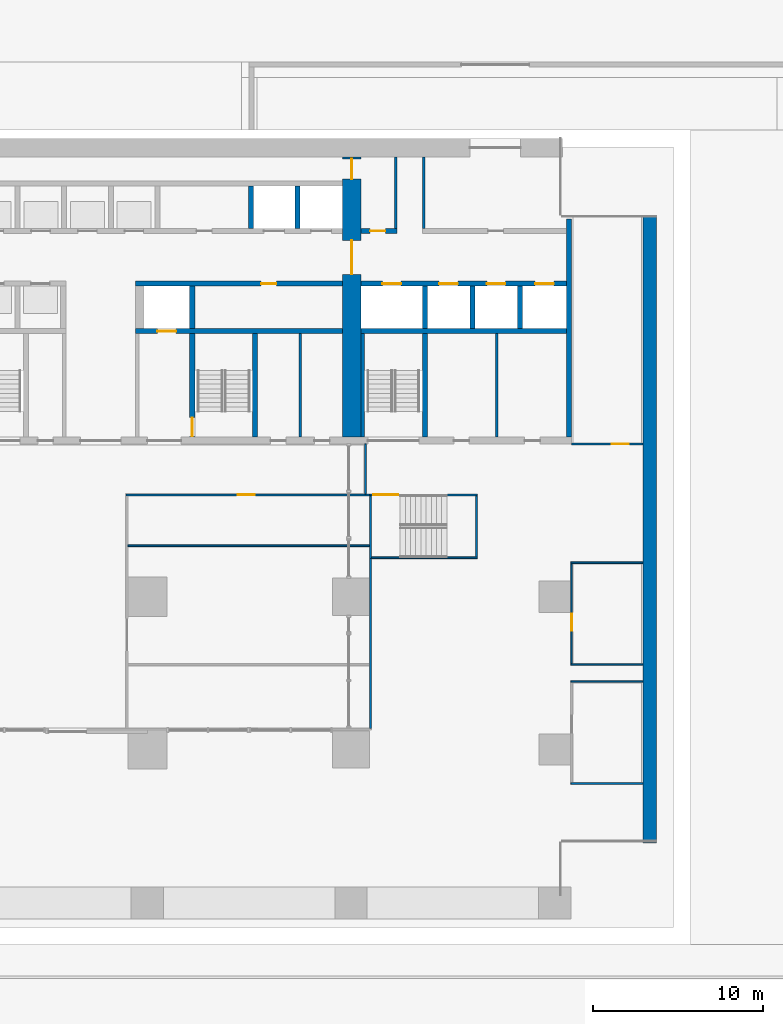
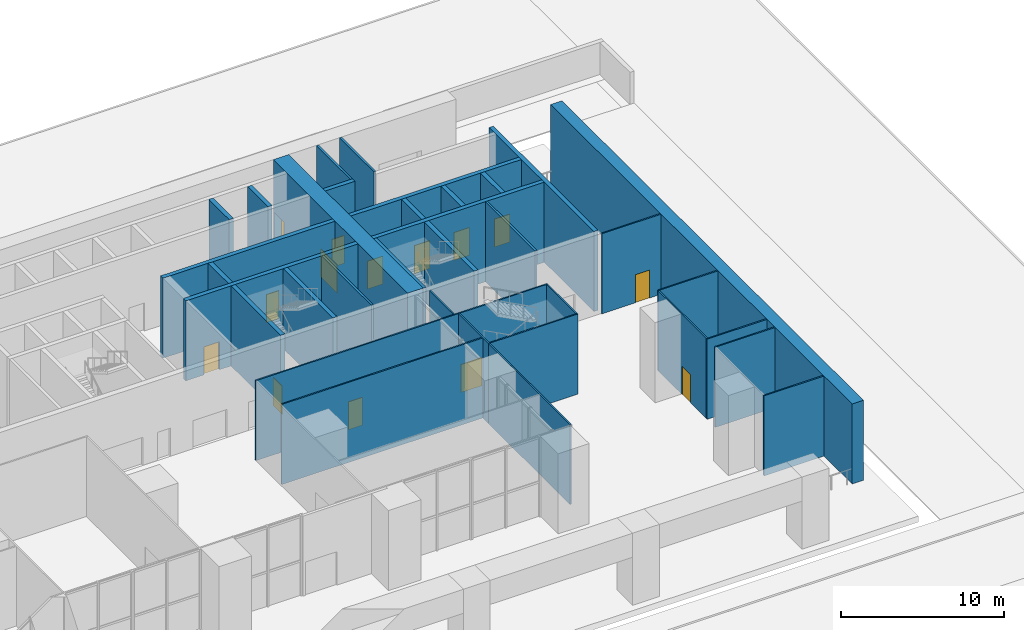
# One storey, part 9 of 16: 36 walls, 14 doors, 14 openings.
"""IFC4 building model written with IfcOpenShell, lengths in metres."""

import ifcopenshell
import ifcopenshell.guid

model = None  # the IFC model being written
_history = None  # IfcOwnerHistory: only IFC2X3 demands one
_inside = {}  # id of a spatial element -> (the spatial element, [elements in it])
_under = {}  # id of a project, library or spatial element -> (it, [spatial elements below it])
_declared = {}  # id of a project -> (the project, [libraries it declares])
_typed = {}  # id of a type object -> (the type object, [elements of that type])
_made_of = {}  # id of a material, layer set ... -> (it, [elements and type objects made of it])


def new_model(schema):
    """Start an empty IFC model of exactly this schema.

    Asked for "IFC4X3", IfcOpenShell would pick the latest addendum, in which some entities
    have other attributes; the version numbers below select the first issue.
    IFC2X3 requires an IfcOwnerHistory on every rooted entity: one is made here for all.
    """
    global model, _history
    if schema == "IFC4X3":
        model = ifcopenshell.file(schema_version=(4, 3, 0, 0))
    else:
        model = ifcopenshell.file(schema=schema)
    _inside.clear()
    _under.clear()
    _declared.clear()
    _typed.clear()
    _made_of.clear()
    _history = None
    if model.schema == "IFC2X3":
        org = make("IfcOrganization", Name="unknown")
        user = make(
            "IfcPersonAndOrganization",
            ThePerson=make("IfcPerson", FamilyName="unknown"),
            TheOrganization=org,
        )
        app = make(
            "IfcApplication",
            ApplicationDeveloper=org,
            Version="unknown",
            ApplicationFullName="unknown",
            ApplicationIdentifier="unknown",
        )
        _history = make(
            "IfcOwnerHistory",
            OwningUser=user,
            OwningApplication=app,
            ChangeAction="ADDED",
            CreationDate=0,
        )
    return model


def make(cls, **values):
    """One entity of the class cls with the attributes given. An attribute that is None is left unset."""
    return model.create_entity(
        cls, **{name: value for name, value in values.items() if value is not None}
    )


def rooted(cls, **values):
    """An entity with a GlobalId (a new one), such as an element, a storey or a relation."""
    return make(cls, GlobalId=ifcopenshell.guid.new(), OwnerHistory=_history, **values)


def si_unit(unit_type, name, prefix=None):
    """IfcSIUnit, for example si_unit("LENGTHUNIT", "METRE", prefix="MILLI")."""
    return make("IfcSIUnit", UnitType=unit_type, Prefix=prefix, Name=name)


def assignment(units):
    """IfcUnitAssignment: the units of a project."""
    return None if units is None else make("IfcUnitAssignment", Units=units)


def point(xyz):
    """IfcCartesianPoint."""
    return None if xyz is None else make("IfcCartesianPoint", Coordinates=xyz)


def direction(xyz):
    """IfcDirection."""
    return None if xyz is None else make("IfcDirection", DirectionRatios=xyz)


def frame(location, z_axis=None, x_axis=None):
    """IfcAxis2Placement3D, a coordinate frame: its origin and axes. An axis left out is left unset."""
    return make(
        "IfcAxis2Placement3D",
        Location=point(location),
        Axis=direction(z_axis),
        RefDirection=direction(x_axis),
    )


def frame_2d(location, x_axis=None):
    """IfcAxis2Placement2D, a coordinate frame in the plane: its origin and x axis."""
    return make(
        "IfcAxis2Placement2D", Location=point(location), RefDirection=direction(x_axis)
    )


def origin():
    """The frame at (0, 0, 0) with its axes left unset."""
    return frame((0.0, 0.0, 0.0))


def place(relative_to, where):
    """IfcLocalPlacement: puts the frame where relative to a parent placement (None: the world)."""
    return make(
        "IfcLocalPlacement", PlacementRelTo=relative_to, RelativePlacement=where
    )


def context(
    kind, dimensions, precision=None, world=None, true_north=None, identifier=None
):
    """IfcGeometricRepresentationContext, for example the 3D "Model" context."""
    return make(
        "IfcGeometricRepresentationContext",
        ContextIdentifier=identifier,
        ContextType=kind,
        CoordinateSpaceDimension=dimensions,
        Precision=precision,
        WorldCoordinateSystem=world,
        TrueNorth=true_north,
    )


def subcontext(parent, identifier, kind, view, scale=None):
    """IfcGeometricRepresentationSubContext, for example "Body" below "Model"."""
    return make(
        "IfcGeometricRepresentationSubContext",
        ContextIdentifier=identifier,
        ContextType=kind,
        ParentContext=parent,
        TargetScale=scale,
        TargetView=view,
    )


def project(units=None, contexts=None):
    """IfcProject with its units and contexts."""
    return rooted(
        "IfcProject",
        Name="project",
        RepresentationContexts=contexts,
        UnitsInContext=assignment(units),
    )


def spatial(cls, under=None, at=None, **own):
    """A site, building, storey or space (cls), placed at a placement, below another one or the project."""
    s = rooted(cls, ObjectPlacement=at, **own)
    if under is not None:
        _under.setdefault(under.id(), (under, []))[1].append(s)
    return s


def profile(cls, at=None, kind="AREA", **sizes):
    """A parametric profile (cls). Its sizes go by their IFC names, for example OverallWidth=200.0."""
    return make(cls, ProfileType=kind, Position=at, **sizes)


def rectangle(**sizes):
    """IfcRectangleProfileDef."""
    return profile("IfcRectangleProfileDef", **sizes)


def extrude(swept, where, along, depth):
    """IfcExtrudedAreaSolid: the profile swept, set in the frame where, extruded along a direction by depth."""
    return make(
        "IfcExtrudedAreaSolid",
        SweptArea=swept,
        Position=where,
        ExtrudedDirection=direction(along),
        Depth=depth,
    )


def shape(context_of_items, identifier, shape_type, items):
    """IfcShapeRepresentation: the items that make up one representation, for example the "Body"."""
    return make(
        "IfcShapeRepresentation",
        ContextOfItems=context_of_items,
        RepresentationIdentifier=identifier,
        RepresentationType=shape_type,
        Items=items,
    )


def material(Name=None, Category=None):
    """IfcMaterial."""
    return make("IfcMaterial", Name=Name, Category=Category)


def layer(
    of_material, thickness, ventilated=None, Name=None, Category=None, Priority=None
):
    """IfcMaterialLayer: one layer of a wall or slab, of a material (None: an air gap)."""
    return make(
        "IfcMaterialLayer",
        Material=of_material,
        LayerThickness=thickness,
        IsVentilated=ventilated,
        Name=Name,
        Category=Category,
        Priority=Priority,
    )


def layer_set(layers, Name=None):
    """IfcMaterialLayerSet."""
    return make("IfcMaterialLayerSet", MaterialLayers=layers, LayerSetName=Name)


def made_of(thing, what):
    """Note that an element or type object is made of a material, layer set ...; save() writes the relation."""
    if what is not None:
        _made_of.setdefault(what.id(), (what, []))[1].append(thing)
    return thing


def type_object(cls, material=None, **own):
    """A type object (cls), such as IfcWallType, which elements share."""
    return made_of(rooted(cls, **own), material)


def element(
    cls,
    number,
    at=None,
    inside=None,
    cuts=None,
    type_object=None,
    material=None,
    context=None,
    identifier="Body",
    shape_type=None,
    held_by="IfcProductDefinitionShape",
    body=None,
    shapes=None,
    **own,
):
    """One element of the class cls, such as IfcWall. Its Tag is "e" and its number.

    at: its placement. inside: the storey or other place that contains it. cuts: it is an
    opening in that element (IfcRelVoidsElement). A single representation is given by context,
    identifier, shape_type and body (its items); several are given by shapes. held_by: the class
    of the entity that holds the representations. save() writes the other relations.
    """
    e = rooted(cls, Tag="e%d" % number, ObjectPlacement=at, **own)
    if body is not None:
        shapes = [shape(context, identifier, shape_type, body)]
    if shapes is not None:
        e.Representation = make(held_by, Representations=shapes)
    if inside is not None:
        _inside.setdefault(inside.id(), (inside, []))[1].append(e)
    if cuts is not None:
        rooted(
            "IfcRelVoidsElement", RelatingBuildingElement=cuts, RelatedOpeningElement=e
        )
    if type_object is not None:
        _typed.setdefault(type_object.id(), (type_object, []))[1].append(e)
    return made_of(e, material)


def fill(opening, filler):
    """IfcRelFillsElement: the door or window that sits in an opening."""
    return rooted(
        "IfcRelFillsElement",
        RelatingOpeningElement=opening,
        RelatedBuildingElement=filler,
    )


def aggregate(whole, parts):
    """IfcRelAggregates: a whole, such as a stair, and the parts it consists of."""
    return rooted("IfcRelAggregates", RelatingObject=whole, RelatedObjects=parts)


def save(model, path):
    """Write the relations noted so far, then the file.

    IfcRelAggregates (storeys below a building ...), IfcRelContainedInSpatialStructure (elements
    in a storey), IfcRelDefinesByType, IfcRelAssociatesMaterial and IfcRelDeclares: one each for
    every whole, place, type object, material and project.
    """
    for whole, parts in _under.values():
        aggregate(whole, parts)
    for where, things in _inside.values():
        rooted(
            "IfcRelContainedInSpatialStructure",
            RelatedElements=things,
            RelatingStructure=where,
        )
    for kind, things in _typed.values():
        rooted("IfcRelDefinesByType", RelatedObjects=things, RelatingType=kind)
    for what, things in _made_of.values():
        rooted("IfcRelAssociatesMaterial", RelatedObjects=things, RelatingMaterial=what)
    for by, libraries in _declared.values():
        rooted("IfcRelDeclares", RelatingContext=by, RelatedDefinitions=libraries)
    model.write(path)


model = new_model("IFC4")

# Units and contexts
model_context = context("Model", 3, precision=1e-05, world=origin(), true_north=direction((0.0, 1.0)))
body_context = subcontext(model_context, "Body", "Model", "MODEL_VIEW")
ifc_project = project(units=[si_unit("LENGTHUNIT", "METRE"), si_unit("AREAUNIT", "SQUARE_METRE"), si_unit("VOLUMEUNIT", "CUBIC_METRE"), si_unit("PLANEANGLEUNIT", "RADIAN"), si_unit("MASSUNIT", "GRAM", prefix="KILO")], contexts=[model_context])

# Site, building, storey
site_placement = place(None, origin())
site = spatial("IfcSite", under=ifc_project, at=site_placement, CompositionType="ELEMENT")
building_placement = place(site_placement, origin())
building = spatial("IfcBuilding", under=site, at=building_placement, Name="Calvaro Tower", CompositionType="ELEMENT")
storey_placement = place(building_placement, origin())
storey = spatial("IfcBuildingStorey", under=building, at=storey_placement, Name="L00", CompositionType="ELEMENT", Elevation=0.0)

# Walls
ifc_material_1 = material(Name="Blockwork partition", Category="masonry")
ifc_layer_1 = layer(ifc_material_1, 0.14990234375)
ifc_layer_set_1 = layer_set([ifc_layer_1], Name="Blockwork partition")
wall_type_1 = type_object("IfcWallType", Name="Core partition 150 EI 60", PredefinedType="PARTITIONING", material=ifc_layer_set_1)
for number, where, z_axis, x_axis, name in (
    (1, (57.0, 28.39990234375, 0.0), (0.0, 0.0, 1.0), (0.0, 1.0, 0.0), "Core partition"),
    (2, (68.60009765625, 28.39990234375, 0.0), (0.0, 0.0, 1.0), (0.0, 1.0, 0.0), "Core partition"),
):
    element("IfcWall", number, at=place(storey_placement, frame(where, z_axis=z_axis, x_axis=x_axis)), inside=storey, type_object=wall_type_1, Name=name, PredefinedType="PARTITIONING", context=body_context, shape_type="SweptSolid", body=[
        extrude(rectangle(XDim=6.10009765625, YDim=0.14990234375, at=frame_2d((3.050048828125, 0.0))), origin(), (0.0, 0.0, 1.0), 6.0),
    ])
ifc_material_2 = material(Name="Blockwork partition", Category="masonry")
ifc_layer_2 = layer(ifc_material_2, 0.14990234375)
ifc_layer_set_2 = layer_set([ifc_layer_2], Name="Blockwork partition")
wall_type_2 = type_object("IfcWallType", Name="Core partition 150 REI 120", PredefinedType="PARTITIONING", material=ifc_layer_set_2)
for number, where, z_axis, x_axis, name in (
    (3, (62.625, 40.699951171875, 0.0), (0.0, 0.0, 1.0), (0.0, 1.0, 0.0), "Core partition"),
    (4, (64.27490234375, 40.699951171875, 0.0), (0.0, 0.0, 1.0), (0.0, 1.0, 0.0), "Core partition"),
):
    element("IfcWall", number, at=place(storey_placement, frame(where, z_axis=z_axis, x_axis=x_axis)), inside=storey, type_object=wall_type_2, Name=name, PredefinedType="PARTITIONING", context=body_context, shape_type="SweptSolid", body=[
        extrude(rectangle(XDim=4.199951171875, YDim=0.14990234375, at=frame_2d((2.10009765625, 0.0))), origin(), (0.0, 0.0, 1.0), 6.0),
    ])

# Wall, opening, door
ifc_material_3 = material(Name="Blockwork partition", Category="masonry")
ifc_layer_3 = layer(ifc_material_3, 0.300048828125)
ifc_layer_set_3 = layer_set([ifc_layer_3], Name="Blockwork partition")
wall_type_3 = type_object("IfcWallType", Name="Core partition 300 REI 120", PredefinedType="PARTITIONING", material=ifc_layer_set_3)
wall_1_placement = place(storey_placement, frame((60.60009765625, 40.550048828125, 0.0), z_axis=(0.0, 0.0, 1.0), x_axis=(1.0, 0.0, 0.0)))
wall_1 = element("IfcWall", 5, at=wall_1_placement, inside=storey, type_object=wall_type_3, Name="Core partition", PredefinedType="PARTITIONING", context=body_context, shape_type="SweptSolid", body=[
    extrude(rectangle(XDim=2.099853515625, YDim=0.300048828125, at=frame_2d((1.0498046875, 0.0))), origin(), (0.0, 0.0, 1.0), 6.0),
])
opening_1_placement = place(wall_1_placement, frame((0.52490234375, 0.0, 0.0)))
opening_1 = element("IfcOpeningElement", 6, at=opening_1_placement, cuts=wall_1, Name="Opening RD9E", PredefinedType="OPENING", context=body_context, shape_type="SweptSolid", body=[
    extrude(rectangle(XDim=0.89990234375, YDim=2.10009765625, at=frame_2d((0.449951171875, 1.050048828125))), frame((0.0, 0.159912109375, 0.0), z_axis=(0.0, -1.0, 0.0), x_axis=(1.0, 0.0, 0.0)), (0.0, 0.0, 1.0), 0.320068359375),
])
ifc_material_4 = material(Name="Steel door set", Category="steel")
door_type_1 = type_object("IfcDoorType", Name="Room door 900 FD60", OperationType="SINGLE_SWING_LEFT", PredefinedType="DOOR", material=ifc_material_4)
door_1_placement = place(opening_1_placement, origin())
door_1 = element("IfcDoor", 7, at=door_1_placement, inside=storey, type_object=door_type_1, Name="Room door", OperationType="SINGLE_SWING_RIGHT", OverallHeight=2.10009765625, OverallWidth=0.89990234375, PredefinedType="DOOR", context=body_context, shape_type="SweptSolid", body=[
    extrude(rectangle(XDim=0.89990234375, YDim=2.10009765625, at=frame_2d((0.449951171875, 1.050048828125))), frame((0.0, 0.02490234375, 0.0), z_axis=(0.0, -1.0, 0.0), x_axis=(1.0, 0.0, 0.0)), (0.0, 0.0, 1.0), 0.050048828125),
])
fill(opening_1, door_1)

# Wall, openings, doors
ifc_material_5 = material(Name="Concrete C80/95", Category="concrete")
ifc_layer_4 = layer(ifc_material_5, 1.10009765625)
ifc_layer_set_4 = layer_set([ifc_layer_4], Name="Concrete C80/95")
wall_type_4 = type_object("IfcWallType", Name="Core wall C80/95 1100", PredefinedType="SHEAR", material=ifc_layer_set_4)
wall_2_placement = place(storey_placement, frame((60.050048828125, 28.39990234375, 0.0), z_axis=(0.0, 0.0, 1.0), x_axis=(0.0, 1.0, 0.0)))
wall_2 = element("IfcWall", 8, at=wall_2_placement, inside=storey, type_object=wall_type_4, Name="Core wall, cross shear wall", PredefinedType="SHEAR", context=body_context, shape_type="SweptSolid", body=[
    extrude(rectangle(XDim=16.5, YDim=1.10009765625, at=frame_2d((8.25, 0.0))), origin(), (0.0, 0.0, 1.0), 6.0),
])
opening_2_placement = place(wall_2_placement, frame((9.60009765625, 0.0, 0.0)))
opening_2 = element("IfcOpeningElement", 9, at=opening_2_placement, cuts=wall_2, Name="Opening DD20D", PredefinedType="OPENING", context=body_context, shape_type="SweptSolid", body=[
    extrude(rectangle(XDim=2.0, YDim=2.10009765625, at=frame_2d((1.0, 1.050048828125))), frame((0.0, 0.56005859375, 0.0), z_axis=(0.0, -1.0, 0.0), x_axis=(1.0, 0.0, 0.0)), (0.0, 0.0, 1.0), 1.1201171875),
])
opening_3_placement = place(wall_2_placement, frame((15.199951171875, 0.0, 0.0)))
opening_3 = element("IfcOpeningElement", 10, at=opening_3_placement, cuts=wall_2, Name="Opening FD12C", PredefinedType="OPENING", context=body_context, shape_type="SweptSolid", body=[
    extrude(rectangle(XDim=1.199951171875, YDim=2.10009765625, at=frame_2d((0.60009765625, 1.050048828125))), frame((0.0, 0.56005859375, 0.0), z_axis=(0.0, -1.0, 0.0), x_axis=(1.0, 0.0, 0.0)), (0.0, 0.0, 1.0), 1.1201171875),
])
ifc_material_6 = material(Name="Steel door set", Category="steel")
door_type_2 = type_object("IfcDoorType", Name="Fire door 1200 FD30", OperationType="SINGLE_SWING_LEFT", PredefinedType="DOOR", material=ifc_material_6)
door_2_placement = place(opening_3_placement, origin())
door_2 = element("IfcDoor", 11, at=door_2_placement, inside=storey, type_object=door_type_2, Name="Fire door", OperationType="SINGLE_SWING_RIGHT", OverallHeight=2.10009765625, OverallWidth=1.199951171875, PredefinedType="DOOR", context=body_context, shape_type="SweptSolid", body=[
    extrude(rectangle(XDim=1.199951171875, YDim=2.10009765625, at=frame_2d((0.60009765625, 1.050048828125))), frame((0.0, 0.02490234375, 0.0), z_axis=(0.0, -1.0, 0.0), x_axis=(1.0, 0.0, 0.0)), (0.0, 0.0, 1.0), 0.050048828125),
])
fill(opening_3, door_2)
ifc_material_7 = material(Name="Steel door set", Category="steel")
door_type_3 = type_object("IfcDoorType", Name="Lobby double door 2000 FD30S", OperationType="DOUBLE_DOOR_SINGLE_SWING", PredefinedType="DOOR", material=ifc_material_7)
door_3_placement = place(opening_2_placement, origin())
door_3 = element("IfcDoor", 12, at=door_3_placement, inside=storey, type_object=door_type_3, Name="Lobby double door", OperationType="DOUBLE_DOOR_SINGLE_SWING", OverallHeight=2.10009765625, OverallWidth=2.0, PredefinedType="DOOR", context=body_context, shape_type="SweptSolid", body=[
    extrude(rectangle(XDim=2.0, YDim=2.10009765625, at=frame_2d((1.0, 1.050048828125))), frame((0.0, 0.02490234375, 0.0), z_axis=(0.0, -1.0, 0.0), x_axis=(1.0, 0.0, 0.0)), (0.0, 0.0, 1.0), 0.050048828125),
])
fill(opening_2, door_3)

# Walls
ifc_material_8 = material(Name="Concrete C80/95", Category="concrete")
ifc_layer_5 = layer(ifc_material_8, 0.199951171875)
ifc_layer_set_5 = layer_set([ifc_layer_5], Name="Concrete C80/95")
wall_type_5 = type_object("IfcWallType", Name="Core wall C80/95 200", PredefinedType="SHEAR", material=ifc_layer_set_5)
wall_3_placement = place(storey_placement, frame((60.699951171875, 28.39990234375, 0.0), z_axis=(0.0, 0.0, 1.0), x_axis=(0.0, 1.0, 0.0)))
element("IfcWall", 13, at=wall_3_placement, inside=storey, type_object=wall_type_5, Name="Core wall, stair enclosure", PredefinedType="SHEAR", context=body_context, shape_type="SweptSolid", body=[
    extrude(rectangle(XDim=6.10009765625, YDim=0.199951171875, at=frame_2d((3.050048828125, 0.0))), origin(), (0.0, 0.0, 1.0), 6.0),
])
ifc_material_9 = material(Name="Concrete C80/95", Category="concrete")
ifc_layer_6 = layer(ifc_material_9, 0.300048828125)
ifc_layer_set_6 = layer_set([ifc_layer_6], Name="Concrete C80/95")
wall_type_6 = type_object("IfcWallType", Name="Core wall C80/95 300", PredefinedType="SHEAR", material=ifc_layer_set_6)
wall_4_placement = place(storey_placement, frame((72.85009765625, 28.39990234375, 0.0), z_axis=(0.0, 0.0, 1.0), x_axis=(0.0, 1.0, 0.0)))
element("IfcWall", 14, at=wall_4_placement, inside=storey, type_object=wall_type_6, Name="Core wall, boundary", PredefinedType="SHEAR", context=body_context, shape_type="SweptSolid", body=[
    extrude(rectangle(XDim=12.85009765625, YDim=0.300048828125, at=frame_2d((6.425048828125, 0.0))), origin(), (0.0, 0.0, 1.0), 6.0),
])
wall_5_placement = place(storey_placement, frame((64.35009765625, 34.800048828125, 0.0), z_axis=(0.0, 0.0, 1.0), x_axis=(0.0, 1.0, 0.0)))
element("IfcWall", 15, at=wall_5_placement, inside=storey, type_object=wall_type_6, Name="Core wall, lift shaft", PredefinedType="SHEAR", context=body_context, shape_type="SweptSolid", body=[
    extrude(rectangle(XDim=2.5, YDim=0.300048828125, at=frame_2d((1.25, 0.0))), origin(), (0.0, 0.0, 1.0), 6.0),
])

# Wall, opening, door
wall_6_placement = place(storey_placement, frame((50.64990234375, 28.39990234375, 0.0), z_axis=(0.0, 0.0, 1.0), x_axis=(0.0, 1.0, 0.0)))
wall_6 = element("IfcWall", 16, at=wall_6_placement, inside=storey, type_object=wall_type_6, Name="Core wall, stair enclosure", PredefinedType="SHEAR", context=body_context, shape_type="SweptSolid", body=[
    extrude(rectangle(XDim=6.10009765625, YDim=0.300048828125, at=frame_2d((3.050048828125, 0.0))), origin(), (0.0, 0.0, 1.0), 6.0),
])
opening_4_placement = place(wall_6_placement, frame((0.050048828125, 0.0, 0.0)))
opening_4 = element("IfcOpeningElement", 17, at=opening_4_placement, cuts=wall_6, Name="Opening FD11DX", PredefinedType="OPENING", context=body_context, shape_type="SweptSolid", body=[
    extrude(rectangle(XDim=1.10009765625, YDim=2.10009765625, at=frame_2d((0.550048828125, 1.050048828125))), frame((0.0, 0.159912109375, 0.0), z_axis=(0.0, -1.0, 0.0), x_axis=(1.0, 0.0, 0.0)), (0.0, 0.0, 1.0), 0.320068359375),
])
ifc_material_10 = material(Name="Steel door set", Category="steel")
door_type_4 = type_object("IfcDoorType", Name="External fire door 1100 FD30S", OperationType="SINGLE_SWING_LEFT", PredefinedType="DOOR", material=ifc_material_10)
door_4_placement = place(opening_4_placement, origin())
door_4 = element("IfcDoor", 18, at=door_4_placement, inside=storey, type_object=door_type_4, Name="Fire door", OperationType="SINGLE_SWING_LEFT", OverallHeight=2.10009765625, OverallWidth=1.10009765625, PredefinedType="DOOR", context=body_context, shape_type="SweptSolid", body=[
    extrude(rectangle(XDim=1.10009765625, YDim=2.10009765625, at=frame_2d((0.550048828125, 1.050048828125))), frame((0.0, 0.02490234375, 0.0), z_axis=(0.0, -1.0, 0.0), x_axis=(1.0, 0.0, 0.0)), (0.0, 0.0, 1.0), 0.050048828125),
])
fill(opening_4, door_4)

# Walls
for number, where, z_axis, x_axis, name in (
    (19, (54.35009765625, 28.39990234375, 0.0), (0.0, 0.0, 1.0), (0.0, 1.0, 0.0), "Core wall, stair enclosure"),
    (20, (64.35009765625, 28.39990234375, 0.0), (0.0, 0.0, 1.0), (0.0, 1.0, 0.0), "Core wall, stair enclosure"),
):
    element("IfcWall", number, at=place(storey_placement, frame(where, z_axis=z_axis, x_axis=x_axis)), inside=storey, type_object=wall_type_6, Name=name, PredefinedType="SHEAR", context=body_context, shape_type="SweptSolid", body=[
        extrude(rectangle(XDim=6.10009765625, YDim=0.300048828125, at=frame_2d((3.050048828125, 0.0))), origin(), (0.0, 0.0, 1.0), 6.0),
    ])

# Wall, opening, door
wall_7_placement = place(storey_placement, frame((47.300048828125, 34.64990234375, 0.0), z_axis=(0.0, 0.0, 1.0), x_axis=(1.0, 0.0, 0.0)))
wall_7 = element("IfcWall", 21, at=wall_7_placement, inside=storey, type_object=wall_type_6, Name="Core wall, lift shaft", PredefinedType="SHEAR", context=body_context, shape_type="SweptSolid", body=[
    extrude(rectangle(XDim=12.199951171875, YDim=0.300048828125, at=frame_2d((6.10009765625, 0.0))), origin(), (0.0, 0.0, 1.0), 6.0),
])
opening_5_placement = place(wall_7_placement, frame((1.300048828125, 0.0, 0.0)))
opening_5 = element("IfcOpeningElement", 22, at=opening_5_placement, cuts=wall_7, Name="Opening FF2", PredefinedType="OPENING", context=body_context, shape_type="SweptSolid", body=[
    extrude(rectangle(XDim=1.10009765625, YDim=2.10009765625, at=frame_2d((0.550048828125, 1.050048828125))), frame((0.0, 0.159912109375, 0.0), z_axis=(0.0, -1.0, 0.0), x_axis=(1.0, 0.0, 0.0)), (0.0, 0.0, 1.0), 0.320068359375),
])
ifc_material_11 = material(Name="Stainless steel", Category="steel")
door_type_5 = type_object("IfcDoorType", Name="Landing door 1100 E 60", OperationType="SLIDING_TO_LEFT", PredefinedType="DOOR", material=ifc_material_11)
door_5_placement = place(opening_5_placement, origin())
door_5 = element("IfcDoor", 23, at=door_5_placement, inside=storey, type_object=door_type_5, Name="Landing door FF2", OperationType="SLIDING_TO_LEFT", OverallHeight=2.10009765625, OverallWidth=1.10009765625, PredefinedType="DOOR", context=body_context, shape_type="SweptSolid", body=[
    extrude(rectangle(XDim=1.10009765625, YDim=2.10009765625, at=frame_2d((0.550048828125, 1.050048828125))), frame((0.0, 0.02490234375, 0.0), z_axis=(0.0, -1.0, 0.0), x_axis=(1.0, 0.0, 0.0)), (0.0, 0.0, 1.0), 0.050048828125),
])
fill(opening_5, door_5)

# Wall
wall_8_placement = place(storey_placement, frame((60.60009765625, 34.64990234375, 0.0), z_axis=(0.0, 0.0, 1.0), x_axis=(1.0, 0.0, 0.0)))
element("IfcWall", 24, at=wall_8_placement, inside=storey, type_object=wall_type_6, Name="Core wall, lift shaft", PredefinedType="SHEAR", context=body_context, shape_type="SweptSolid", body=[
    extrude(rectangle(XDim=12.099853515625, YDim=0.300048828125, at=frame_2d((6.0498046875, 0.0))), origin(), (0.0, 0.0, 1.0), 6.0),
])

# Wall, opening, door
wall_9_placement = place(storey_placement, frame((59.5, 37.449951171875, 0.0), z_axis=(0.0, 0.0, 1.0), x_axis=(-1.0, 0.0, 0.0)))
wall_9 = element("IfcWall", 25, at=wall_9_placement, inside=storey, type_object=wall_type_6, Name="Core wall, bay", PredefinedType="SHEAR", context=body_context, shape_type="SweptSolid", body=[
    extrude(rectangle(XDim=12.199951171875, YDim=0.300048828125, at=frame_2d((6.10009765625, 0.0))), origin(), (0.0, 0.0, 1.0), 6.0),
])
opening_6_placement = place(wall_9_placement, frame((3.89990234375, 0.0, 0.0)))
opening_6 = element("IfcOpeningElement", 26, at=opening_6_placement, cuts=wall_9, Name="Opening RD9E", PredefinedType="OPENING", context=body_context, shape_type="SweptSolid", body=[
    extrude(rectangle(XDim=0.89990234375, YDim=2.10009765625, at=frame_2d((0.449951171875, 1.050048828125))), frame((0.0, 0.159912109375, 0.0), z_axis=(0.0, -1.0, 0.0), x_axis=(1.0, 0.0, 0.0)), (0.0, 0.0, 1.0), 0.320068359375),
])
door_6_placement = place(opening_6_placement, origin())
door_6 = element("IfcDoor", 27, at=door_6_placement, inside=storey, type_object=door_type_1, Name="Room door", OperationType="SINGLE_SWING_RIGHT", OverallHeight=2.10009765625, OverallWidth=0.89990234375, PredefinedType="DOOR", context=body_context, shape_type="SweptSolid", body=[
    extrude(rectangle(XDim=0.89990234375, YDim=2.10009765625, at=frame_2d((0.449951171875, 1.050048828125))), frame((0.0, 0.02490234375, 0.0), z_axis=(0.0, -1.0, 0.0), x_axis=(1.0, 0.0, 0.0)), (0.0, 0.0, 1.0), 0.050048828125),
])
fill(opening_6, door_6)

# Wall, openings, doors
wall_10_placement = place(storey_placement, frame((60.60009765625, 37.449951171875, 0.0), z_axis=(0.0, 0.0, 1.0), x_axis=(1.0, 0.0, 0.0)))
wall_10 = element("IfcWall", 28, at=wall_10_placement, inside=storey, type_object=wall_type_6, Name="Core wall, lift shaft", PredefinedType="SHEAR", context=body_context, shape_type="SweptSolid", body=[
    extrude(rectangle(XDim=12.099853515625, YDim=0.300048828125, at=frame_2d((6.0498046875, 0.0))), origin(), (0.0, 0.0, 1.0), 6.0),
])
opening_7_placement = place(wall_10_placement, frame((1.25, 0.0, 0.0)))
opening_7 = element("IfcOpeningElement", 29, at=opening_7_placement, cuts=wall_10, Name="Opening FF3", PredefinedType="OPENING", context=body_context, shape_type="SweptSolid", body=[
    extrude(rectangle(XDim=1.10009765625, YDim=2.10009765625, at=frame_2d((0.550048828125, 1.050048828125))), frame((0.0, 0.159912109375, 0.0), z_axis=(0.0, -1.0, 0.0), x_axis=(1.0, 0.0, 0.0)), (0.0, 0.0, 1.0), 0.320068359375),
])
opening_8_placement = place(wall_10_placement, frame((4.60009765625, 0.0, 0.0)))
opening_8 = element("IfcOpeningElement", 30, at=opening_8_placement, cuts=wall_10, Name="Opening PD1", PredefinedType="OPENING", context=body_context, shape_type="SweptSolid", body=[
    extrude(rectangle(XDim=1.10009765625, YDim=2.10009765625, at=frame_2d((0.550048828125, 1.050048828125))), frame((0.0, 0.159912109375, 0.0), z_axis=(0.0, -1.0, 0.0), x_axis=(1.0, 0.0, 0.0)), (0.0, 0.0, 1.0), 0.320068359375),
])
opening_9_placement = place(wall_10_placement, frame((7.39990234375, 0.0, 0.0)))
opening_9 = element("IfcOpeningElement", 31, at=opening_9_placement, cuts=wall_10, Name="Opening PD2", PredefinedType="OPENING", context=body_context, shape_type="SweptSolid", body=[
    extrude(rectangle(XDim=1.10009765625, YDim=2.10009765625, at=frame_2d((0.550048828125, 1.050048828125))), frame((0.0, 0.159912109375, 0.0), z_axis=(0.0, -1.0, 0.0), x_axis=(1.0, 0.0, 0.0)), (0.0, 0.0, 1.0), 0.320068359375),
])
opening_10_placement = place(wall_10_placement, frame((10.25, 0.0, 0.0)))
opening_10 = element("IfcOpeningElement", 32, at=opening_10_placement, cuts=wall_10, Name="Opening CY1", PredefinedType="OPENING", context=body_context, shape_type="SweptSolid", body=[
    extrude(rectangle(XDim=1.10009765625, YDim=2.10009765625, at=frame_2d((0.550048828125, 1.050048828125))), frame((0.0, 0.159912109375, 0.0), z_axis=(0.0, -1.0, 0.0), x_axis=(1.0, 0.0, 0.0)), (0.0, 0.0, 1.0), 0.320068359375),
])
door_7_placement = place(opening_7_placement, origin())
door_7 = element("IfcDoor", 33, at=door_7_placement, inside=storey, type_object=door_type_5, Name="Landing door FF3", OperationType="SLIDING_TO_LEFT", OverallHeight=2.10009765625, OverallWidth=1.10009765625, PredefinedType="DOOR", context=body_context, shape_type="SweptSolid", body=[
    extrude(rectangle(XDim=1.10009765625, YDim=2.10009765625, at=frame_2d((0.550048828125, 1.050048828125))), frame((0.0, 0.02490234375, 0.0), z_axis=(0.0, -1.0, 0.0), x_axis=(1.0, 0.0, 0.0)), (0.0, 0.0, 1.0), 0.050048828125),
])
fill(opening_7, door_7)
door_8_placement = place(opening_8_placement, origin())
door_8 = element("IfcDoor", 34, at=door_8_placement, inside=storey, type_object=door_type_5, Name="Landing door PD1", OperationType="SLIDING_TO_LEFT", OverallHeight=2.10009765625, OverallWidth=1.10009765625, PredefinedType="DOOR", context=body_context, shape_type="SweptSolid", body=[
    extrude(rectangle(XDim=1.10009765625, YDim=2.10009765625, at=frame_2d((0.550048828125, 1.050048828125))), frame((0.0, 0.02490234375, 0.0), z_axis=(0.0, -1.0, 0.0), x_axis=(1.0, 0.0, 0.0)), (0.0, 0.0, 1.0), 0.050048828125),
])
fill(opening_8, door_8)
door_9_placement = place(opening_9_placement, origin())
door_9 = element("IfcDoor", 35, at=door_9_placement, inside=storey, type_object=door_type_5, Name="Landing door PD2", OperationType="SLIDING_TO_LEFT", OverallHeight=2.10009765625, OverallWidth=1.10009765625, PredefinedType="DOOR", context=body_context, shape_type="SweptSolid", body=[
    extrude(rectangle(XDim=1.10009765625, YDim=2.10009765625, at=frame_2d((0.550048828125, 1.050048828125))), frame((0.0, 0.02490234375, 0.0), z_axis=(0.0, -1.0, 0.0), x_axis=(1.0, 0.0, 0.0)), (0.0, 0.0, 1.0), 0.050048828125),
])
fill(opening_9, door_9)
door_10_placement = place(opening_10_placement, origin())
door_10 = element("IfcDoor", 36, at=door_10_placement, inside=storey, type_object=door_type_5, Name="Landing door CY1", OperationType="SLIDING_TO_LEFT", OverallHeight=2.10009765625, OverallWidth=1.10009765625, PredefinedType="DOOR", context=body_context, shape_type="SweptSolid", body=[
    extrude(rectangle(XDim=1.10009765625, YDim=2.10009765625, at=frame_2d((0.550048828125, 1.050048828125))), frame((0.0, 0.02490234375, 0.0), z_axis=(0.0, -1.0, 0.0), x_axis=(1.0, 0.0, 0.0)), (0.0, 0.0, 1.0), 0.050048828125),
])
fill(opening_10, door_10)

# Walls
for number, where, z_axis, x_axis, name in (
    (37, (50.64990234375, 34.800048828125, 0.0), (0.0, 0.0, 1.0), (0.0, 1.0, 0.0), "Core wall, lift shaft"),
    (38, (54.10009765625, 40.699951171875, 0.0), (0.0, 0.0, 1.0), (0.0, 1.0, 0.0), "Core wall, lift shaft"),
    (39, (56.85009765625, 40.699951171875, 0.0), (0.0, 0.0, 1.0), (0.0, 1.0, 0.0), "Core wall, lift shaft"),
    (40, (67.14990234375, 34.800048828125, 0.0), (0.0, 0.0, 1.0), (0.0, 1.0, 0.0), "Core wall, lift shaft"),
    (41, (69.949951171875, 34.800048828125, 0.0), (0.0, 0.0, 1.0), (0.0, 1.0, 0.0), "Core wall, lift shaft"),
):
    element("IfcWall", number, at=place(storey_placement, frame(where, z_axis=z_axis, x_axis=x_axis)), inside=storey, type_object=wall_type_6, Name=name, PredefinedType="SHEAR", context=body_context, shape_type="SweptSolid", body=[
        extrude(rectangle(XDim=2.5, YDim=0.300048828125, at=frame_2d((1.25, 0.0))), origin(), (0.0, 0.0, 1.0), 6.0),
    ])
ifc_material_12 = material(Name="Concrete C80/95", Category="concrete")
ifc_layer_7 = layer(ifc_material_12, 0.800048828125)
ifc_layer_set_7 = layer_set([ifc_layer_7], Name="Concrete C80/95")
wall_type_7 = type_object("IfcWallType", Name="End wall 800 C80/95", PredefinedType="SHEAR", material=ifc_layer_set_7)
wall_11_placement = place(storey_placement, frame((77.60009765625, 4.5, 0.0), z_axis=(0.0, 0.0, 1.0), x_axis=(0.0, 1.0, 0.0)))
element("IfcWall", 42, at=wall_11_placement, inside=storey, type_object=wall_type_7, Name="End shear wall", PredefinedType="SHEAR", context=body_context, shape_type="SweptSolid", body=[
    extrude(rectangle(XDim=37.0, YDim=0.800048828125, at=frame_2d((18.5, 0.0))), origin(), (0.0, 0.0, 1.0), 6.0),
])
ifc_material_13 = material(Name="Glass", Category="glass")
ifc_layer_8 = layer(ifc_material_13, 0.10009765625)
ifc_layer_set_8 = layer_set([ifc_layer_8], Name="Glass")
wall_type_8 = type_object("IfcWallType", Name="External glazed partition 100", PredefinedType="PARTITIONING", material=ifc_layer_set_8)
wall_12_placement = place(storey_placement, frame((60.85009765625, 25.050048828125, 0.0), z_axis=(0.0, 0.0, 1.0), x_axis=(0.0, 1.0, 0.0)))
element("IfcWall", 43, at=wall_12_placement, inside=storey, type_object=wall_type_8, Name="Partition T03.W031", PredefinedType="PARTITIONING", context=body_context, shape_type="SweptSolid", body=[
    extrude(rectangle(XDim=2.949951171875, YDim=0.10009765625, at=frame_2d((1.47509765625, 0.0))), origin(), (0.0, 0.0, 1.0), 6.0),
])
wall_13_placement = place(storey_placement, frame((61.14990234375, 11.25, 0.0), z_axis=(0.0, 0.0, 1.0), x_axis=(0.0, 1.0, 0.0)))
element("IfcWall", 44, at=wall_13_placement, inside=storey, type_object=wall_type_8, Name="Partition T03.W032", PredefinedType="PARTITIONING", context=body_context, shape_type="SweptSolid", body=[
    extrude(rectangle(XDim=10.010009765625, YDim=0.10009765625, at=frame_2d((5.0048828125, 0.0))), origin(), (0.0, 0.0, 1.0), 6.0),
])
ifc_material_14 = material(Name="Plasterboard on steel studs", Category="steel")
ifc_layer_9 = layer(ifc_material_14, 0.10009765625)
ifc_layer_set_9 = layer_set([ifc_layer_9], Name="Plasterboard on steel studs")
wall_type_9 = type_object("IfcWallType", Name="External partition 100", PredefinedType="PARTITIONING", material=ifc_layer_set_9)
for number, where, z_axis, x_axis, name in (
    (45, (72.949951171875, 8.0, 0.0), (0.0, 0.0, 1.0), (1.0, 0.0, 0.0), "Partition T03.W002"),
    (46, (72.949951171875, 14.0, 0.0), (0.0, 0.0, 1.0), (1.0, 0.0, 0.0), "Partition T03.W007"),
    (47, (72.949951171875, 15.0, 0.0), (0.0, 0.0, 1.0), (1.0, 0.0, 0.0), "Partition T03.W009"),
    (48, (72.949951171875, 21.0, 0.0), (0.0, 0.0, 1.0), (1.0, 0.0, 0.0), "Partition T03.W012"),
):
    element("IfcWall", number, at=place(storey_placement, frame(where, z_axis=z_axis, x_axis=x_axis)), inside=storey, type_object=wall_type_9, Name=name, PredefinedType="PARTITIONING", context=body_context, shape_type="SweptSolid", body=[
        extrude(rectangle(XDim=4.25, YDim=0.10009765625, at=frame_2d((2.125, 0.0))), origin(), (0.0, 0.0, 1.0), 6.0),
    ])

# Wall, opening, door
wall_14_placement = place(storey_placement, frame((73.0, 15.050048828125, 0.0), z_axis=(0.0, 0.0, 1.0), x_axis=(0.0, 1.0, 0.0)))
wall_14 = element("IfcWall", 49, at=wall_14_placement, inside=storey, type_object=wall_type_9, Name="Partition T03.W036", PredefinedType="PARTITIONING", context=body_context, shape_type="SweptSolid", body=[
    extrude(rectangle(XDim=5.89990234375, YDim=0.10009765625, at=frame_2d((2.949951171875, 0.0))), origin(), (0.0, 0.0, 1.0), 6.0),
])
opening_11_placement = place(wall_14_placement, frame((1.949951171875, 0.0, 0.0)))
opening_11 = element("IfcOpeningElement", 50, at=opening_11_placement, cuts=wall_14, Name="Opening T03.008", PredefinedType="OPENING", context=body_context, shape_type="SweptSolid", body=[
    extrude(rectangle(XDim=1.0, YDim=2.10009765625, at=frame_2d((0.5, 1.050048828125))), frame((0.0, 0.06005859375, 0.0), z_axis=(0.0, -1.0, 0.0), x_axis=(1.0, 0.0, 0.0)), (0.0, 0.0, 1.0), 0.1201171875),
])
ifc_material_15 = material(Name="Timber", Category="wood")
door_type_6 = type_object("IfcDoorType", Name="External single door 1000 x 2100", OperationType="SINGLE_SWING_LEFT", PredefinedType="DOOR", material=ifc_material_15)
door_11_placement = place(opening_11_placement, origin())
door_11 = element("IfcDoor", 51, at=door_11_placement, inside=storey, type_object=door_type_6, Name="Door T03.008", OperationType="SINGLE_SWING_LEFT", OverallHeight=2.10009765625, OverallWidth=1.0, PredefinedType="DOOR", context=body_context, shape_type="SweptSolid", body=[
    extrude(rectangle(XDim=1.0, YDim=2.10009765625, at=frame_2d((0.5, 1.050048828125))), frame((0.0, 0.02490234375, 0.0), z_axis=(0.0, -1.0, 0.0), x_axis=(1.0, 0.0, 0.0)), (0.0, 0.0, 1.0), 0.050048828125),
])
fill(opening_11, door_11)

ifc_material_16 = material(Name="Plasterboard on steel studs", Category="steel")
ifc_layer_10 = layer(ifc_material_16, 0.10009765625)
ifc_layer_set_10 = layer_set([ifc_layer_10], Name="Plasterboard on steel studs")
wall_type_10 = type_object("IfcWallType", Name="External partition 100 EI 60", PredefinedType="PARTITIONING", material=ifc_layer_set_10)
wall_15_placement = place(storey_placement, frame((73.0, 28.0, 0.0), z_axis=(0.0, 0.0, 1.0), x_axis=(1.0, 0.0, 0.0)))
wall_15 = element("IfcWall", 52, at=wall_15_placement, inside=storey, type_object=wall_type_10, Name="Partition T03.W021", PredefinedType="PARTITIONING", context=body_context, shape_type="SweptSolid", body=[
    extrude(rectangle(XDim=4.199951171875, YDim=0.10009765625, at=frame_2d((2.10009765625, 0.0))), origin(), (0.0, 0.0, 1.0), 6.0),
])
opening_12_placement = place(wall_15_placement, frame((2.375, 0.0, 0.0)))
opening_12 = element("IfcOpeningElement", 53, at=opening_12_placement, cuts=wall_15, Name="Opening T03.015", PredefinedType="OPENING", context=body_context, shape_type="SweptSolid", body=[
    extrude(rectangle(XDim=1.0, YDim=2.10009765625, at=frame_2d((0.5, 1.050048828125))), frame((0.0, 0.06005859375, 0.0), z_axis=(0.0, -1.0, 0.0), x_axis=(1.0, 0.0, 0.0)), (0.0, 0.0, 1.0), 0.1201171875),
])
ifc_material_17 = material(Name="Timber", Category="wood")
door_type_7 = type_object("IfcDoorType", Name="External single door 1000 x 2100 FD30", OperationType="SINGLE_SWING_LEFT", PredefinedType="DOOR", material=ifc_material_17)
door_12_placement = place(opening_12_placement, frame((1.0, 0.0, 0.0), z_axis=(0.0, 0.0, 1.0), x_axis=(-1.0, 0.0, 0.0)))
door_12 = element("IfcDoor", 54, at=door_12_placement, inside=storey, type_object=door_type_7, Name="Door T03.015", OperationType="SINGLE_SWING_LEFT", OverallHeight=2.10009765625, OverallWidth=1.0, PredefinedType="DOOR", context=body_context, shape_type="SweptSolid", body=[
    extrude(rectangle(XDim=1.0, YDim=2.10009765625, at=frame_2d((0.5, 1.050048828125))), frame((0.0, 0.02490234375, 0.0), z_axis=(0.0, -1.0, 0.0), x_axis=(1.0, 0.0, 0.0)), (0.0, 0.0, 1.0), 0.050048828125),
])
fill(opening_12, door_12)

# Wall
ifc_material_18 = material(Name="Concrete C40/50", Category="concrete")
ifc_layer_11 = layer(ifc_material_18, 0.10009765625)
ifc_layer_set_11 = layer_set([ifc_layer_11], Name="Concrete C40/50")
wall_type_11 = type_object("IfcWallType", Name="External stair enclosure wall 100", PredefinedType="SOLIDWALL", material=ifc_layer_set_11)
wall_16_placement = place(storey_placement, frame((61.199951171875, 21.300048828125, 0.0), z_axis=(0.0, 0.0, 1.0), x_axis=(1.0, 0.0, 0.0)))
element("IfcWall", 55, at=wall_16_placement, inside=storey, type_object=wall_type_11, Name="Stair enclosure wall T03.W014", PredefinedType="SOLIDWALL", context=body_context, shape_type="SweptSolid", body=[
    extrude(rectangle(XDim=6.25, YDim=0.10009765625, at=frame_2d((3.125, 0.0))), origin(), (0.0, 0.0, 1.0), 6.0),
])

# Wall, opening, door
wall_17_placement = place(storey_placement, frame((61.110107421875, 25.0, 0.0), z_axis=(0.0, 0.0, 1.0), x_axis=(1.0, 0.0, 0.0)))
wall_17 = element("IfcWall", 56, at=wall_17_placement, inside=storey, type_object=wall_type_11, Name="Stair enclosure wall T03.W019", PredefinedType="SOLIDWALL", context=body_context, shape_type="SweptSolid", body=[
    extrude(rectangle(XDim=6.33984375, YDim=0.10009765625, at=frame_2d((3.169921875, 0.0))), origin(), (0.0, 0.0, 1.0), 6.0),
])
opening_13_placement = place(wall_17_placement, frame((0.18994140625, 0.0, 0.0)))
opening_13 = element("IfcOpeningElement", 57, at=opening_13_placement, cuts=wall_17, Name="Opening T03.013", PredefinedType="OPENING", context=body_context, shape_type="SweptSolid", body=[
    extrude(rectangle(XDim=1.5, YDim=2.10009765625, at=frame_2d((0.75, 1.050048828125))), frame((0.0, 0.06005859375, 0.0), z_axis=(0.0, -1.0, 0.0), x_axis=(1.0, 0.0, 0.0)), (0.0, 0.0, 1.0), 0.1201171875),
])
ifc_material_19 = material(Name="Timber", Category="wood")
door_type_8 = type_object("IfcDoorType", Name="External double door 1500 x 2100 FD30S", OperationType="DOUBLE_DOOR_SINGLE_SWING", PredefinedType="DOOR", material=ifc_material_19)
door_13_placement = place(opening_13_placement, origin())
door_13 = element("IfcDoor", 58, at=door_13_placement, inside=storey, type_object=door_type_8, Name="Door T03.013", OperationType="DOUBLE_DOOR_SINGLE_SWING", OverallHeight=2.10009765625, OverallWidth=1.5, PredefinedType="DOOR", context=body_context, shape_type="SweptSolid", body=[
    extrude(rectangle(XDim=1.5, YDim=2.10009765625, at=frame_2d((0.75, 1.050048828125))), frame((0.0, 0.02490234375, 0.0), z_axis=(0.0, -1.0, 0.0), x_axis=(1.0, 0.0, 0.0)), (0.0, 0.0, 1.0), 0.050048828125),
])
fill(opening_13, door_13)

# Walls
wall_18_placement = place(storey_placement, frame((67.39990234375, 21.35009765625, 0.0), z_axis=(0.0, 0.0, 1.0), x_axis=(0.0, 1.0, 0.0)))
element("IfcWall", 59, at=wall_18_placement, inside=storey, type_object=wall_type_11, Name="Stair enclosure wall T03.W034", PredefinedType="SOLIDWALL", context=body_context, shape_type="SweptSolid", body=[
    extrude(rectangle(XDim=3.599853515625, YDim=0.10009765625, at=frame_2d((1.7998046875, 0.0))), origin(), (0.0, 0.0, 1.0), 6.0),
])
ifc_material_20 = material(Name="Glass", Category="glass")
ifc_layer_12 = layer(ifc_material_20, 0.10009765625)
ifc_layer_set_12 = layer_set([ifc_layer_12], Name="Glass")
wall_type_12 = type_object("IfcWallType", Name="Glazed partition 100 EI 60", PredefinedType="PARTITIONING", material=ifc_layer_set_12)
wall_19_placement = place(storey_placement, frame((46.85009765625, 22.0, 0.0), z_axis=(0.0, 0.0, 1.0), x_axis=(1.0, 0.0, 0.0)))
element("IfcWall", 60, at=wall_19_placement, inside=storey, type_object=wall_type_12, Name="Partition T03.W015", PredefinedType="PARTITIONING", context=body_context, shape_type="SweptSolid", body=[
    extrude(rectangle(XDim=14.25, YDim=0.10009765625, at=frame_2d((7.125, 0.0))), origin(), (0.0, 0.0, 1.0), 6.0),
])

# Wall, opening, door
wall_20_placement = place(storey_placement, frame((46.75, 25.0, 0.0), z_axis=(0.0, 0.0, 1.0), x_axis=(1.0, 0.0, 0.0)))
wall_20 = element("IfcWall", 61, at=wall_20_placement, inside=storey, type_object=wall_type_12, Name="Partition T03.W018", PredefinedType="PARTITIONING", context=body_context, shape_type="SweptSolid", body=[
    extrude(rectangle(XDim=14.360107421875, YDim=0.10009765625, at=frame_2d((7.18017578125, 0.0))), origin(), (0.0, 0.0, 1.0), 6.0),
])
opening_14_placement = place(wall_20_placement, frame((6.574951171875, 0.0, 0.0)))
opening_14 = element("IfcOpeningElement", 62, at=opening_14_placement, cuts=wall_20, Name="Opening T03.014", PredefinedType="OPENING", context=body_context, shape_type="SweptSolid", body=[
    extrude(rectangle(XDim=1.0, YDim=2.10009765625, at=frame_2d((0.5, 1.050048828125))), frame((0.0, 0.06005859375, 0.0), z_axis=(0.0, -1.0, 0.0), x_axis=(1.0, 0.0, 0.0)), (0.0, 0.0, 1.0), 0.1201171875),
])
ifc_material_21 = material(Name="Glass", Category="glass")
door_type_9 = type_object("IfcDoorType", Name="Internal glazed single door 1000 x 2100", OperationType="SINGLE_SWING_LEFT", PredefinedType="DOOR", material=ifc_material_21)
door_14_placement = place(opening_14_placement, origin())
door_14 = element("IfcDoor", 63, at=door_14_placement, inside=storey, type_object=door_type_9, Name="Door T03.014", OperationType="SINGLE_SWING_LEFT", OverallHeight=2.10009765625, OverallWidth=1.0, PredefinedType="DOOR", context=body_context, shape_type="SweptSolid", body=[
    extrude(rectangle(XDim=1.0, YDim=2.10009765625, at=frame_2d((0.5, 1.050048828125))), frame((0.0, 0.02490234375, 0.0), z_axis=(0.0, -1.0, 0.0), x_axis=(1.0, 0.0, 0.0)), (0.0, 0.0, 1.0), 0.050048828125),
])
fill(opening_14, door_14)

# Wall
ifc_material_22 = material(Name="Concrete C40/50", Category="concrete")
ifc_layer_13 = layer(ifc_material_22, 0.10009765625)
ifc_layer_set_13 = layer_set([ifc_layer_13], Name="Concrete C40/50")
wall_type_13 = type_object("IfcWallType", Name="Stair enclosure wall 100", PredefinedType="SOLIDWALL", material=ifc_layer_set_13)
wall_21_placement = place(storey_placement, frame((61.14990234375, 21.260009765625, 0.0), z_axis=(0.0, 0.0, 1.0), x_axis=(0.0, 1.0, 0.0)))
element("IfcWall", 64, at=wall_21_placement, inside=storey, type_object=wall_type_13, Name="Stair enclosure wall T03.W033", PredefinedType="SOLIDWALL", context=body_context, shape_type="SweptSolid", body=[
    extrude(rectangle(XDim=3.68994140625, YDim=0.10009765625, at=frame_2d((1.844970703125, 0.0))), origin(), (0.0, 0.0, 1.0), 6.0),
])

save(model, "model.ifc")
